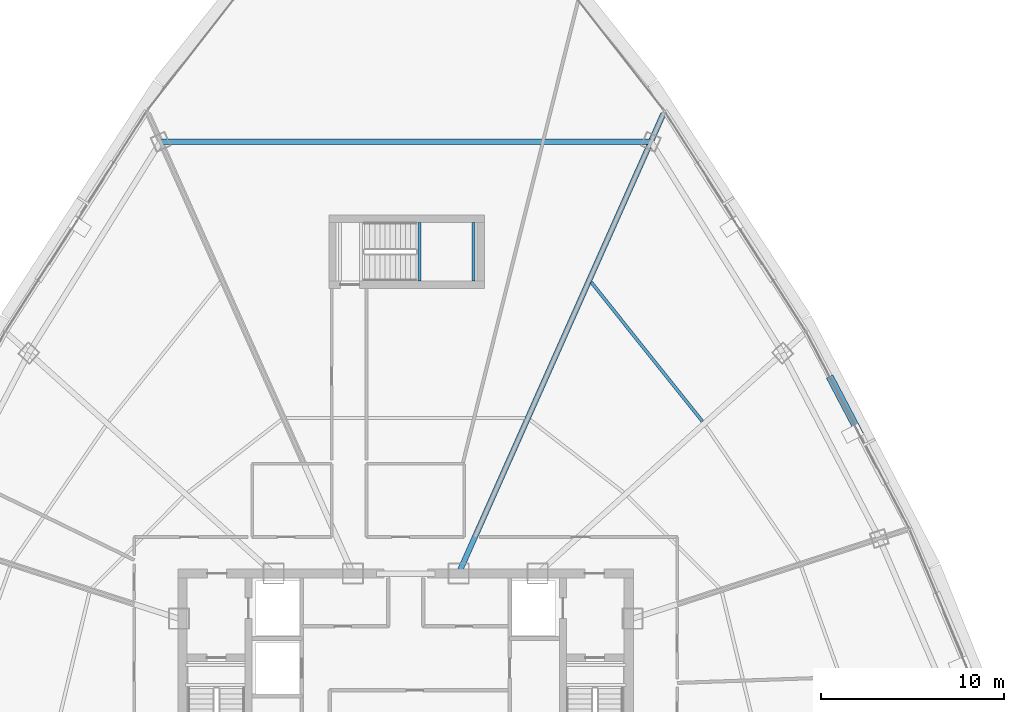
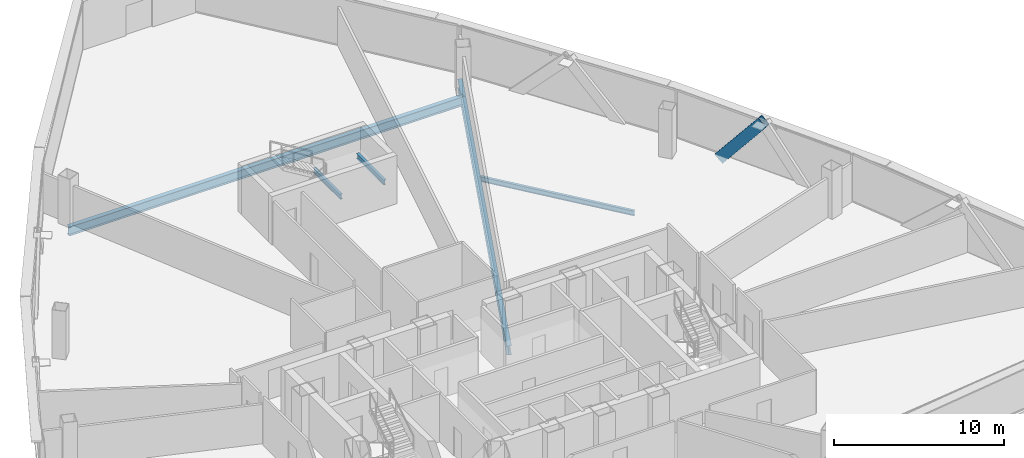
# One storey, part 22 of 37: 5 beams, 1 member.
"""IFC4 building model written with IfcOpenShell, lengths in metres."""

import ifcopenshell
import ifcopenshell.guid

model = None  # the IFC model being written
_history = None  # IfcOwnerHistory: only IFC2X3 demands one
_inside = {}  # id of a spatial element -> (the spatial element, [elements in it])
_under = {}  # id of a project, library or spatial element -> (it, [spatial elements below it])
_declared = {}  # id of a project -> (the project, [libraries it declares])
_typed = {}  # id of a type object -> (the type object, [elements of that type])
_made_of = {}  # id of a material, layer set ... -> (it, [elements and type objects made of it])


def new_model(schema):
    """Start an empty IFC model of exactly this schema.

    Asked for "IFC4X3", IfcOpenShell would pick the latest addendum, in which some entities
    have other attributes; the version numbers below select the first issue.
    IFC2X3 requires an IfcOwnerHistory on every rooted entity: one is made here for all.
    """
    global model, _history
    if schema == "IFC4X3":
        model = ifcopenshell.file(schema_version=(4, 3, 0, 0))
    else:
        model = ifcopenshell.file(schema=schema)
    _inside.clear()
    _under.clear()
    _declared.clear()
    _typed.clear()
    _made_of.clear()
    _history = None
    if model.schema == "IFC2X3":
        org = make("IfcOrganization", Name="unknown")
        user = make(
            "IfcPersonAndOrganization",
            ThePerson=make("IfcPerson", FamilyName="unknown"),
            TheOrganization=org,
        )
        app = make(
            "IfcApplication",
            ApplicationDeveloper=org,
            Version="unknown",
            ApplicationFullName="unknown",
            ApplicationIdentifier="unknown",
        )
        _history = make(
            "IfcOwnerHistory",
            OwningUser=user,
            OwningApplication=app,
            ChangeAction="ADDED",
            CreationDate=0,
        )
    return model


def make(cls, **values):
    """One entity of the class cls with the attributes given. An attribute that is None is left unset."""
    return model.create_entity(
        cls, **{name: value for name, value in values.items() if value is not None}
    )


def rooted(cls, **values):
    """An entity with a GlobalId (a new one), such as an element, a storey or a relation."""
    return make(cls, GlobalId=ifcopenshell.guid.new(), OwnerHistory=_history, **values)


def si_unit(unit_type, name, prefix=None):
    """IfcSIUnit, for example si_unit("LENGTHUNIT", "METRE", prefix="MILLI")."""
    return make("IfcSIUnit", UnitType=unit_type, Prefix=prefix, Name=name)


def assignment(units):
    """IfcUnitAssignment: the units of a project."""
    return None if units is None else make("IfcUnitAssignment", Units=units)


def point(xyz):
    """IfcCartesianPoint."""
    return None if xyz is None else make("IfcCartesianPoint", Coordinates=xyz)


def direction(xyz):
    """IfcDirection."""
    return None if xyz is None else make("IfcDirection", DirectionRatios=xyz)


def frame(location, z_axis=None, x_axis=None):
    """IfcAxis2Placement3D, a coordinate frame: its origin and axes. An axis left out is left unset."""
    return make(
        "IfcAxis2Placement3D",
        Location=point(location),
        Axis=direction(z_axis),
        RefDirection=direction(x_axis),
    )


def frame_2d(location, x_axis=None):
    """IfcAxis2Placement2D, a coordinate frame in the plane: its origin and x axis."""
    return make(
        "IfcAxis2Placement2D", Location=point(location), RefDirection=direction(x_axis)
    )


def origin():
    """The frame at (0, 0, 0) with its axes left unset."""
    return frame((0.0, 0.0, 0.0))


def origin_2d():
    """The frame at (0, 0) in the plane with its x axis left unset."""
    return frame_2d((0.0, 0.0))


def place(relative_to, where):
    """IfcLocalPlacement: puts the frame where relative to a parent placement (None: the world)."""
    return make(
        "IfcLocalPlacement", PlacementRelTo=relative_to, RelativePlacement=where
    )


def context(
    kind, dimensions, precision=None, world=None, true_north=None, identifier=None
):
    """IfcGeometricRepresentationContext, for example the 3D "Model" context."""
    return make(
        "IfcGeometricRepresentationContext",
        ContextIdentifier=identifier,
        ContextType=kind,
        CoordinateSpaceDimension=dimensions,
        Precision=precision,
        WorldCoordinateSystem=world,
        TrueNorth=true_north,
    )


def subcontext(parent, identifier, kind, view, scale=None):
    """IfcGeometricRepresentationSubContext, for example "Body" below "Model"."""
    return make(
        "IfcGeometricRepresentationSubContext",
        ContextIdentifier=identifier,
        ContextType=kind,
        ParentContext=parent,
        TargetScale=scale,
        TargetView=view,
    )


def project(units=None, contexts=None):
    """IfcProject with its units and contexts."""
    return rooted(
        "IfcProject",
        Name="project",
        RepresentationContexts=contexts,
        UnitsInContext=assignment(units),
    )


def spatial(cls, under=None, at=None, **own):
    """A site, building, storey or space (cls), placed at a placement, below another one or the project."""
    s = rooted(cls, ObjectPlacement=at, **own)
    if under is not None:
        _under.setdefault(under.id(), (under, []))[1].append(s)
    return s


def profile(cls, at=None, kind="AREA", **sizes):
    """A parametric profile (cls). Its sizes go by their IFC names, for example OverallWidth=200.0."""
    return make(cls, ProfileType=kind, Position=at, **sizes)


def hollow_rectangle(**sizes):
    """IfcRectangleHollowProfileDef."""
    return profile("IfcRectangleHollowProfileDef", **sizes)


def i_section(**sizes):
    """IfcIShapeProfileDef."""
    return profile("IfcIShapeProfileDef", **sizes)


def extrude(swept, where, along, depth):
    """IfcExtrudedAreaSolid: the profile swept, set in the frame where, extruded along a direction by depth."""
    return make(
        "IfcExtrudedAreaSolid",
        SweptArea=swept,
        Position=where,
        ExtrudedDirection=direction(along),
        Depth=depth,
    )


def shape(context_of_items, identifier, shape_type, items):
    """IfcShapeRepresentation: the items that make up one representation, for example the "Body"."""
    return make(
        "IfcShapeRepresentation",
        ContextOfItems=context_of_items,
        RepresentationIdentifier=identifier,
        RepresentationType=shape_type,
        Items=items,
    )


def source(mapping_origin, context_of_items, identifier, shape_type, items):
    """IfcRepresentationMap: a shape defined once, which mapped items show again and again."""
    return make(
        "IfcRepresentationMap",
        MappingOrigin=mapping_origin,
        MappedRepresentation=shape(context_of_items, identifier, shape_type, items),
    )


def transform(
    local_origin,
    x_axis=None,
    y_axis=None,
    z_axis=None,
    scale=None,
    scale2=None,
    scale3=None,
    uniform=True,
):
    """IfcCartesianTransformationOperator3D, or its non-uniform kind. x_axis, y_axis, z_axis: its Axis1, 2, 3."""
    if uniform:
        return make(
            "IfcCartesianTransformationOperator3D",
            Axis1=direction(x_axis),
            Axis2=direction(y_axis),
            LocalOrigin=point(local_origin),
            Scale=scale,
            Axis3=direction(z_axis),
        )
    return make(
        "IfcCartesianTransformationOperator3DnonUniform",
        Axis1=direction(x_axis),
        Axis2=direction(y_axis),
        LocalOrigin=point(local_origin),
        Scale=scale,
        Axis3=direction(z_axis),
        Scale2=scale2,
        Scale3=scale3,
    )


def mapped(mapping_source, mapping_target):
    """IfcMappedItem: shows the shape of a source again, moved by a transform."""
    return make(
        "IfcMappedItem", MappingSource=mapping_source, MappingTarget=mapping_target
    )


def material(Name=None, Category=None):
    """IfcMaterial."""
    return make("IfcMaterial", Name=Name, Category=Category)


def material_profile(
    of_material, cross_section, Name=None, Category=None, Priority=None
):
    """IfcMaterialProfile: a cross section and its material."""
    return make(
        "IfcMaterialProfile",
        Name=Name,
        Material=of_material,
        Profile=cross_section,
        Priority=Priority,
        Category=Category,
    )


def profile_set(profiles, Name=None, composite=None):
    """IfcMaterialProfileSet."""
    return make(
        "IfcMaterialProfileSet",
        Name=Name,
        MaterialProfiles=profiles,
        CompositeProfile=composite,
    )


def made_of(thing, what):
    """Note that an element or type object is made of a material, layer set ...; save() writes the relation."""
    if what is not None:
        _made_of.setdefault(what.id(), (what, []))[1].append(thing)
    return thing


def type_object(cls, material=None, **own):
    """A type object (cls), such as IfcWallType, which elements share."""
    return made_of(rooted(cls, **own), material)


def element(
    cls,
    number,
    at=None,
    inside=None,
    cuts=None,
    type_object=None,
    material=None,
    context=None,
    identifier="Body",
    shape_type=None,
    held_by="IfcProductDefinitionShape",
    body=None,
    shapes=None,
    **own,
):
    """One element of the class cls, such as IfcWall. Its Tag is "e" and its number.

    at: its placement. inside: the storey or other place that contains it. cuts: it is an
    opening in that element (IfcRelVoidsElement). A single representation is given by context,
    identifier, shape_type and body (its items); several are given by shapes. held_by: the class
    of the entity that holds the representations. save() writes the other relations.
    """
    e = rooted(cls, Tag="e%d" % number, ObjectPlacement=at, **own)
    if body is not None:
        shapes = [shape(context, identifier, shape_type, body)]
    if shapes is not None:
        e.Representation = make(held_by, Representations=shapes)
    if inside is not None:
        _inside.setdefault(inside.id(), (inside, []))[1].append(e)
    if cuts is not None:
        rooted(
            "IfcRelVoidsElement", RelatingBuildingElement=cuts, RelatedOpeningElement=e
        )
    if type_object is not None:
        _typed.setdefault(type_object.id(), (type_object, []))[1].append(e)
    return made_of(e, material)


def aggregate(whole, parts):
    """IfcRelAggregates: a whole, such as a stair, and the parts it consists of."""
    return rooted("IfcRelAggregates", RelatingObject=whole, RelatedObjects=parts)


def save(model, path):
    """Write the relations noted so far, then the file.

    IfcRelAggregates (storeys below a building ...), IfcRelContainedInSpatialStructure (elements
    in a storey), IfcRelDefinesByType, IfcRelAssociatesMaterial and IfcRelDeclares: one each for
    every whole, place, type object, material and project.
    """
    for whole, parts in _under.values():
        aggregate(whole, parts)
    for where, things in _inside.values():
        rooted(
            "IfcRelContainedInSpatialStructure",
            RelatedElements=things,
            RelatingStructure=where,
        )
    for kind, things in _typed.values():
        rooted("IfcRelDefinesByType", RelatedObjects=things, RelatingType=kind)
    for what, things in _made_of.values():
        rooted("IfcRelAssociatesMaterial", RelatedObjects=things, RelatingMaterial=what)
    for by, libraries in _declared.values():
        rooted("IfcRelDeclares", RelatingContext=by, RelatedDefinitions=libraries)
    model.write(path)


model = new_model("IFC4")

# Units and contexts
model_context = context("Model", 3, precision=1e-05, world=origin(), true_north=direction((0.0, 1.0)))
body_context = subcontext(model_context, "Body", "Model", "MODEL_VIEW")
ifc_project = project(units=[si_unit("LENGTHUNIT", "METRE"), si_unit("AREAUNIT", "SQUARE_METRE"), si_unit("VOLUMEUNIT", "CUBIC_METRE"), si_unit("PLANEANGLEUNIT", "RADIAN"), si_unit("MASSUNIT", "GRAM", prefix="KILO"), si_unit("THERMODYNAMICTEMPERATUREUNIT", "KELVIN"), si_unit("POWERUNIT", "WATT")], contexts=[model_context])

# Site, building, storey
site_placement = place(None, origin())
site = spatial("IfcSite", under=ifc_project, at=site_placement, CompositionType="ELEMENT")
building_placement = place(site_placement, origin())
building = spatial("IfcBuilding", under=site, at=building_placement, Name="Yunzhuo Pagoda Commons", CompositionType="ELEMENT")
storey_placement = place(building_placement, frame((0.0, 0.0, 259.449951171875)))
storey = spatial("IfcBuildingStorey", under=building, at=storey_placement, Name="L65", CompositionType="ELEMENT", Elevation=259.449951171875)

# Beams
ifc_material = material(Name="Structural steel Q355B", Category="steel")
ifc_material_profile_1 = material_profile(ifc_material, i_section(OverallWidth=0.175048828125, OverallDepth=0.35009765625, WebThickness=0.007080078125, FlangeThickness=0.010986328125, at=origin_2d()), Name="Structural steel Q355B")
ifc_profile_set_1 = profile_set([ifc_material_profile_1], Name="Structural steel Q355B")
beam_type_1 = type_object("IfcBeamType", Name="B-JS2 Joist HN 350x175x7x11", PredefinedType="JOIST", material=ifc_profile_set_1)
shared_shape_1 = source(origin(), body_context, "Body", "SweptSolid", [
    extrude(i_section(OverallWidth=0.175048828125, OverallDepth=0.35009765625, WebThickness=0.007080078125, FlangeThickness=0.010986328125, at=origin_2d()), origin(), (0.0, 0.0, 1.0), 3.199951171875),
])
for number, where, z_axis, x_axis, name in (
    (1, (48.75, 56.199951171875, 1.489990234375), (0.0, 1.0, 0.0), (-1.0, 0.0, 0.0), "L65 ST3 landing support beam 71A"),
    (2, (51.699951171875, 56.199951171875, 1.489990234375), (0.0, 1.0, 0.0), (-1.0, 0.0, 0.0), "L65 ST3 landing support beam 71B"),
):
    element("IfcBeam", number, at=place(storey_placement, frame(where, z_axis=z_axis, x_axis=x_axis)), inside=storey, type_object=beam_type_1, Name=name, PredefinedType="JOIST", context=body_context, shape_type="MappedRepresentation", body=[
        mapped(shared_shape_1, transform((0.0, 0.0, 0.0), scale=1.0)),
    ])
ifc_material_profile_2 = material_profile(ifc_material, i_section(OverallWidth=0.300048828125, OverallDepth=0.64990234375, WebThickness=0.012939453125, FlangeThickness=0.02197265625, at=origin_2d()), Name="Structural steel Q355B")
ifc_profile_set_2 = profile_set([ifc_material_profile_2], Name="Structural steel Q355B")
beam_type_2 = type_object("IfcBeamType", Name="B-RG2 Beam HN 650x300x13x22", PredefinedType="BEAM", material=ifc_profile_set_2)
shared_shape_2 = source(origin(), body_context, "Body", "SweptSolid", [
    extrude(i_section(OverallWidth=0.300048828125, OverallDepth=0.64990234375, WebThickness=0.012939453125, FlangeThickness=0.02197265625, at=origin_2d()), origin(), (0.0, 0.0, 1.0), 26.8134765625),
])
beam_1_placement = place(storey_placement, frame((61.40673828125, 63.81201171875, -0.5849609375), z_axis=(-1.0, 0.0, 0.0), x_axis=(0.0, -1.0, 0.0)))
element("IfcBeam", 3, at=beam_1_placement, inside=storey, type_object=beam_type_2, Name="L65 column-ring beam 8", PredefinedType="BEAM", context=body_context, shape_type="MappedRepresentation", body=[
    mapped(shared_shape_2, transform((0.0, 0.0, 0.0), scale=1.0)),
])
shared_shape_3 = source(origin(), body_context, "Body", "SweptSolid", [
    extrude(i_section(OverallWidth=0.175048828125, OverallDepth=0.35009765625, WebThickness=0.007080078125, FlangeThickness=0.010986328125, at=origin_2d()), origin(), (0.0, 0.0, 1.0), 9.741455078125),
])
beam_2_placement = place(storey_placement, frame((64.226806640625, 48.5244140625, -0.43505859375), z_axis=(-0.624618636222, 0.780929932378, 0.0), x_axis=(-0.780929932378, -0.624618636222, 0.0)))
element("IfcBeam", 4, at=beam_2_placement, inside=storey, type_object=beam_type_1, Name="L65 composite ring joist 2.7", PredefinedType="JOIST", context=body_context, shape_type="MappedRepresentation", body=[
    mapped(shared_shape_3, transform((0.0, 0.0, 0.0), scale=1.0)),
])
shared_shape_4 = source(origin(), body_context, "Body", "SweptSolid", [
    extrude(i_section(OverallWidth=0.300048828125, OverallDepth=0.64990234375, WebThickness=0.012939453125, FlangeThickness=0.02197265625, at=origin_2d()), origin(), (0.0, 0.0, 1.0), 27.535888671875),
])
beam_3_placement = place(storey_placement, frame((62.09375, 65.355224609375, -0.5849609375), z_axis=(-0.406732330498, -0.913547377714, 0.0), x_axis=(0.913547377714, -0.406732330498, 0.0)))
element("IfcBeam", 5, at=beam_3_placement, inside=storey, type_object=beam_type_2, Name="L65 radial floor girder F2C4", PredefinedType="BEAM", context=body_context, shape_type="MappedRepresentation", body=[
    mapped(shared_shape_4, transform((0.0, 0.0, 0.0), scale=1.0)),
])

# Member
ifc_material_profile_3 = material_profile(ifc_material, hollow_rectangle(XDim=0.39990234375, YDim=0.719970703125, WallThickness=0.02392578125, at=origin_2d()), Name="Structural steel Q355B")
ifc_profile_set_3 = profile_set([ifc_material_profile_3], Name="Structural steel Q355B")
member_type = type_object("IfcMemberType", Name="M-DL2 Brace BOX 720x400x24", PredefinedType="BRACE", material=ifc_profile_set_3)
shared_shape_5 = source(origin(), body_context, "Body", "SweptSolid", [
    extrude(hollow_rectangle(XDim=0.39990234375, YDim=0.719970703125, WallThickness=0.02392578125, at=origin_2d()), origin(), (0.0, 0.0, 1.0), 4.81201171875),
])
member_placement = place(storey_placement, frame((71.31298828125, 50.72802734375, -0.260009765625), z_axis=(0.293259544764, -0.559577771488, 0.775159052751), x_axis=(0.885735630591, 0.464190039425, 0.0)))
element("IfcMember", 6, at=member_placement, inside=storey, type_object=member_type, Name="L65 facade diamond brace F2.2R", PredefinedType="BRACE", context=body_context, shape_type="MappedRepresentation", body=[
    mapped(shared_shape_5, transform((0.0, 0.0, 0.0), scale=1.0)),
])

save(model, "model.ifc")
